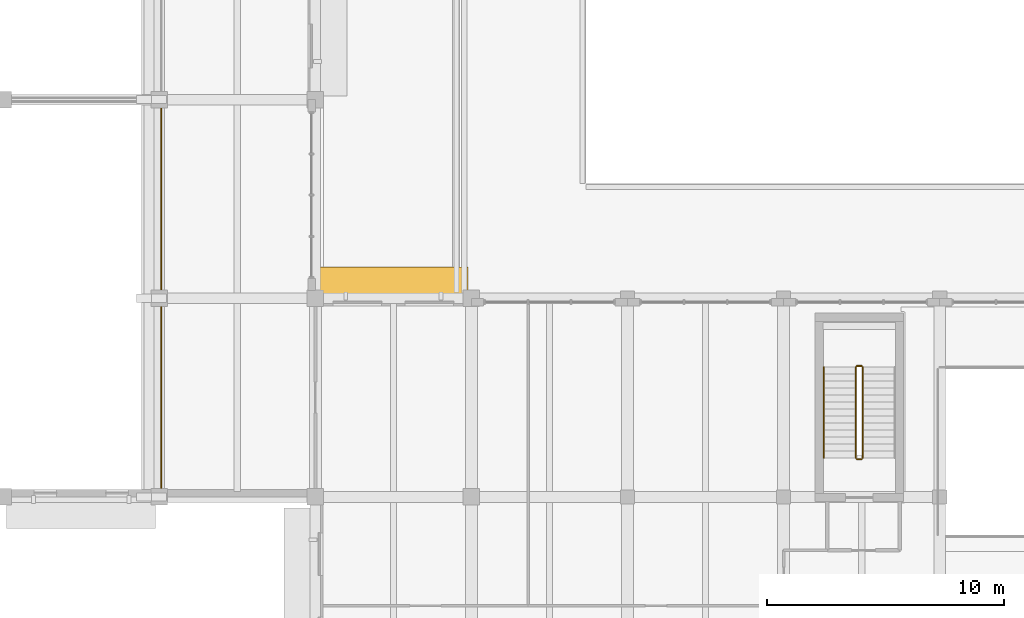
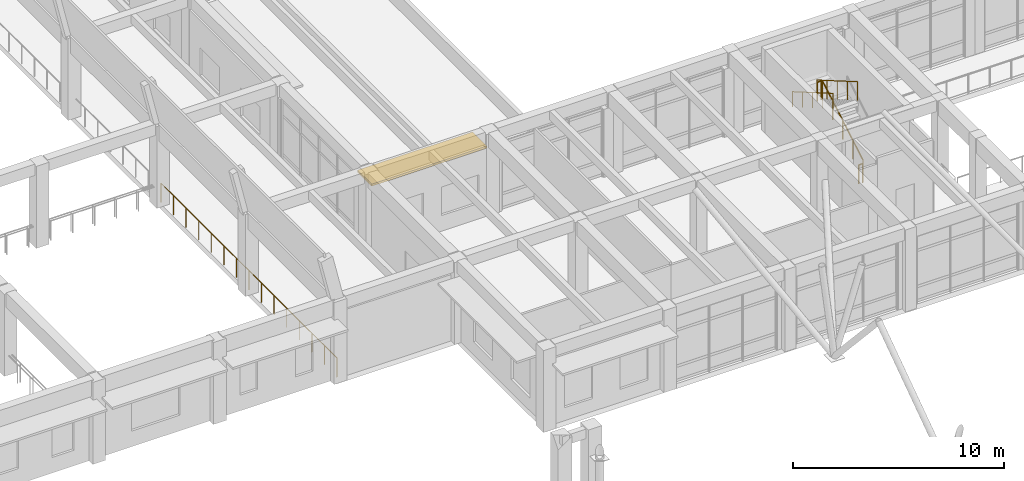
# One storey, part 68 of 75: 6 railings, 1 shading device.
"""IFC4 building model written with IfcOpenShell, lengths in metres."""

from ifc_helpers import new_model, si_unit, direction, frame, origin, origin_2d, place, context, subcontext, project, spatial, rectangle, circle, extrude, material, layer, layer_set, type_object, element, save


model = new_model("IFC4")

# Units and contexts
model_context = context("Model", 3, precision=1e-05, world=origin(), true_north=direction((0.0, 1.0)))
body_context = subcontext(model_context, "Body", "Model", "MODEL_VIEW")
ifc_project = project(units=[si_unit("LENGTHUNIT", "METRE"), si_unit("AREAUNIT", "SQUARE_METRE"), si_unit("VOLUMEUNIT", "CUBIC_METRE"), si_unit("PLANEANGLEUNIT", "RADIAN"), si_unit("MASSUNIT", "GRAM", prefix="KILO")], contexts=[model_context])

# Site, building, storey
site_placement = place(None, origin())
site = spatial("IfcSite", under=ifc_project, at=site_placement, CompositionType="ELEMENT")
building_placement = place(site_placement, origin())
building = spatial("IfcBuilding", under=site, at=building_placement, Name="Kolvaren Faculty of Natural Sciences", CompositionType="ELEMENT")
storey_placement = place(building_placement, frame((0.0, 0.0, 5.39990234375)))
storey = spatial("IfcBuildingStorey", under=building, at=storey_placement, Name="L01", CompositionType="ELEMENT", Elevation=5.39990234375)

# Shading device
ifc_material_1 = material(Name="Precast concrete C35/45", Category="concrete")
ifc_layer_1 = layer(ifc_material_1, 0.1201171875)
ifc_layer_set_1 = layer_set([ifc_layer_1], Name="Precast concrete C35/45")
shading_device_type = type_object("IfcShadingDeviceType", Name="ChhajjaSolarHood_1350", PredefinedType="AWNING", material=ifc_layer_set_1)
shading_device_placement = place(storey_placement, frame((43.10009765625, 84.85498046875, 3.695068359375), z_axis=(0.0, 0.0, 1.0), x_axis=(1.0, 0.0, 0.0)))
element("IfcShadingDevice", 1, at=shading_device_placement, inside=storey, type_object=shading_device_type, Name="L01 precast sandstone chhajja solar hood 77", PredefinedType="AWNING", context=body_context, shape_type="SweptSolid", body=[
    extrude(rectangle(XDim=6.300048828125, YDim=1.35009765625, at=origin_2d()), origin(), (0.0, 0.0, 1.0), 0.1201171875),
])

# Railings
ifc_material_2 = material(Name="Structural steel EN 10210-1 S355J2H", Category="steel")
ifc_layer_2 = layer(ifc_material_2, 0.048095703125)
ifc_layer_set_2 = layer_set([ifc_layer_2], Name="Structural steel EN 10210-1 S355J2H")
railing_type_1 = type_object("IfcRailingType", Name="GuardRailing_GDVOID1", PredefinedType="BALUSTRADE", material=ifc_layer_set_2)
railing_1_placement = place(storey_placement, frame((33.280029296875, 92.60009765625, 0.0)))
element("IfcRailing", 2, at=railing_1_placement, inside=storey, type_object=railing_type_1, Name="L01 LT-3 gallery balustrade 53", PredefinedType="BALUSTRADE", context=body_context, shape_type="SweptSolid", body=[
    extrude(circle(Radius=0.02392578125, at=origin_2d()), frame((0.0, 0.0, 1.09619140625), z_axis=(0.0, -1.0, 0.0), x_axis=(1.0, 0.0, 0.0)), (0.0, 0.0, 1.0), 16.68017578125),
    extrude(circle(Radius=0.02099609375, at=origin_2d()), origin(), (0.0, 0.0, 1.0), 1.072021484375),
    extrude(circle(Radius=0.02099609375, at=origin_2d()), frame((0.0, -1.19140625, 0.0)), (0.0, 0.0, 1.0), 1.072021484375),
    extrude(circle(Radius=0.02099609375, at=origin_2d()), frame((0.0, -2.3828125, 0.0)), (0.0, 0.0, 1.0), 1.072021484375),
    extrude(circle(Radius=0.02099609375, at=origin_2d()), frame((0.0, -3.57421875, 0.0)), (0.0, 0.0, 1.0), 1.072021484375),
    extrude(circle(Radius=0.02099609375, at=origin_2d()), frame((0.0, -4.765869140625, 0.0)), (0.0, 0.0, 1.0), 1.072021484375),
    extrude(circle(Radius=0.02099609375, at=origin_2d()), frame((0.0, -5.957275390625, 0.0)), (0.0, 0.0, 1.0), 1.072021484375),
    extrude(circle(Radius=0.02099609375, at=origin_2d()), frame((0.0, -7.148681640625, 0.0)), (0.0, 0.0, 1.0), 1.072021484375),
    extrude(circle(Radius=0.02099609375, at=origin_2d()), frame((0.0, -8.340087890625, 0.0)), (0.0, 0.0, 1.0), 1.072021484375),
    extrude(circle(Radius=0.02099609375, at=origin_2d()), frame((0.0, -9.531494140625, 0.0)), (0.0, 0.0, 1.0), 1.072021484375),
    extrude(circle(Radius=0.02099609375, at=origin_2d()), frame((0.0, -10.722900390625, 0.0)), (0.0, 0.0, 1.0), 1.072021484375),
    extrude(circle(Radius=0.02099609375, at=origin_2d()), frame((0.0, -11.914306640625, 0.0)), (0.0, 0.0, 1.0), 1.072021484375),
    extrude(circle(Radius=0.02099609375, at=origin_2d()), frame((0.0, -13.10595703125, 0.0)), (0.0, 0.0, 1.0), 1.072021484375),
    extrude(circle(Radius=0.02099609375, at=origin_2d()), frame((0.0, -14.29736328125, 0.0)), (0.0, 0.0, 1.0), 1.072021484375),
    extrude(circle(Radius=0.02099609375, at=origin_2d()), frame((0.0, -15.48876953125, 0.0)), (0.0, 0.0, 1.0), 1.072021484375),
    extrude(circle(Radius=0.02099609375, at=origin_2d()), frame((0.0, -16.68017578125, 0.0)), (0.0, 0.0, 1.0), 1.072021484375),
])
ifc_layer_3 = layer(ifc_material_2, 0.048095703125)
ifc_layer_set_3 = layer_set([ifc_layer_3], Name="Structural steel EN 10210-1 S355J2H")
railing_type_2 = type_object("IfcRailingType", Name="StairPitchHandrail_920", PredefinedType="HANDRAIL", material=ifc_layer_set_3)
railing_2_placement = place(storey_placement, frame((61.300048828125, 81.284912109375, 2.571533203125)))
element("IfcRailing", 3, at=railing_2_placement, inside=storey, type_object=railing_type_2, Name="L01 ST-6 stair handrail 2", PredefinedType="HANDRAIL", context=body_context, shape_type="SweptSolid", body=[
    extrude(circle(Radius=0.02392578125, at=origin_2d()), frame((0.0, 0.0, 0.8759765625), z_axis=(0.0, -0.86461618451, 0.502432934314), x_axis=(1.0, 0.0, 0.0)), (0.0, 0.0, 1.0), 4.435546875),
    extrude(circle(Radius=0.02099609375, at=origin_2d()), origin(), (0.0, 0.0, 1.0), 0.851806640625),
    extrude(circle(Radius=0.02099609375, at=origin_2d()), frame((0.0, -0.958740234375, 0.55712890625)), (0.0, 0.0, 1.0), 0.851806640625),
    extrude(circle(Radius=0.02099609375, at=origin_2d()), frame((0.0, -1.91748046875, 1.1142578125)), (0.0, 0.0, 1.0), 0.851806640625),
    extrude(circle(Radius=0.02099609375, at=origin_2d()), frame((0.0, -2.876220703125, 1.67138671875)), (0.0, 0.0, 1.0), 0.851806640625),
    extrude(circle(Radius=0.02099609375, at=origin_2d()), frame((0.0, -3.8349609375, 2.228515625)), (0.0, 0.0, 1.0), 0.851806640625),
])
ifc_layer_4 = layer(ifc_material_2, 0.048095703125)
ifc_layer_set_4 = layer_set([ifc_layer_4], Name="Structural steel EN 10210-1 S355J2H")
railing_type_3 = type_object("IfcRailingType", Name="StairWellGuard_1100", PredefinedType="BALUSTRADE", material=ifc_layer_set_4)
railing_3_placement = place(storey_placement, frame((62.949951171875, 77.449951171875, 0.171630859375)))
element("IfcRailing", 4, at=railing_3_placement, inside=storey, type_object=railing_type_3, Name="L01 ST-6 stair guard 1", PredefinedType="BALUSTRADE", context=body_context, shape_type="SweptSolid", body=[
    extrude(circle(Radius=0.02392578125, at=origin_2d()), frame((0.0, 0.0, 1.076171875), z_axis=(0.0, 0.86461618451, 0.502432934314), x_axis=(-1.0, 0.0, 0.0)), (0.0, 0.0, 1.0), 4.435546875),
    extrude(circle(Radius=0.02099609375, at=origin_2d()), origin(), (0.0, 0.0, 1.0), 1.052001953125),
    extrude(circle(Radius=0.02099609375, at=origin_2d()), frame((0.0, 0.958740234375, 0.55712890625)), (0.0, 0.0, 1.0), 1.052001953125),
    extrude(circle(Radius=0.02099609375, at=origin_2d()), frame((0.0, 1.91748046875, 1.1142578125)), (0.0, 0.0, 1.0), 1.052001953125),
    extrude(circle(Radius=0.02099609375, at=origin_2d()), frame((0.0, 2.876220703125, 1.67138671875)), (0.0, 0.0, 1.0), 1.052001953125),
    extrude(circle(Radius=0.02099609375, at=origin_2d()), frame((0.0, 3.8349609375, 2.228515625)), (0.0, 0.0, 1.0), 1.052001953125),
])
railing_4_placement = place(storey_placement, frame((62.89990234375, 81.3349609375, 2.400146484375)))
element("IfcRailing", 5, at=railing_4_placement, inside=storey, type_object=railing_type_3, Name="L01 ST-6 stair guard 2", PredefinedType="BALUSTRADE", context=body_context, shape_type="SweptSolid", body=[
    extrude(circle(Radius=0.02392578125, at=origin_2d()), frame((0.0, 0.0, 1.076171875), z_axis=(-1.0, 0.0, 0.0), x_axis=(0.0, -1.0, 0.0)), (0.0, 0.0, 1.0), 0.199951171875),
    extrude(circle(Radius=0.02099609375, at=origin_2d()), origin(), (0.0, 0.0, 1.0), 1.052001953125),
    extrude(circle(Radius=0.02099609375, at=origin_2d()), frame((-0.199951171875, 0.0, 0.0)), (0.0, 0.0, 1.0), 1.052001953125),
])
railing_5_placement = place(storey_placement, frame((62.64990234375, 81.284912109375, 2.571533203125)))
element("IfcRailing", 6, at=railing_5_placement, inside=storey, type_object=railing_type_3, Name="L01 ST-6 stair guard 3", PredefinedType="BALUSTRADE", context=body_context, shape_type="SweptSolid", body=[
    extrude(circle(Radius=0.02392578125, at=origin_2d()), frame((0.0, 0.0, 1.076171875), z_axis=(0.0, -0.86461618451, 0.502432934314), x_axis=(1.0, 0.0, 0.0)), (0.0, 0.0, 1.0), 4.435546875),
    extrude(circle(Radius=0.02099609375, at=origin_2d()), origin(), (0.0, 0.0, 1.0), 1.052001953125),
    extrude(circle(Radius=0.02099609375, at=origin_2d()), frame((0.0, -0.958740234375, 0.55712890625)), (0.0, 0.0, 1.0), 1.052001953125),
    extrude(circle(Radius=0.02099609375, at=origin_2d()), frame((0.0, -1.91748046875, 1.1142578125)), (0.0, 0.0, 1.0), 1.052001953125),
    extrude(circle(Radius=0.02099609375, at=origin_2d()), frame((0.0, -2.876220703125, 1.67138671875)), (0.0, 0.0, 1.0), 1.052001953125),
    extrude(circle(Radius=0.02099609375, at=origin_2d()), frame((0.0, -3.8349609375, 2.228515625)), (0.0, 0.0, 1.0), 1.052001953125),
])
railing_6_placement = place(storey_placement, frame((62.89990234375, 77.39990234375, 0.0)))
element("IfcRailing", 7, at=railing_6_placement, inside=storey, type_object=railing_type_3, Name="L01 ST-6 stair guard 4", PredefinedType="BALUSTRADE", context=body_context, shape_type="SweptSolid", body=[
    extrude(circle(Radius=0.02392578125, at=origin_2d()), frame((0.0, 0.0, 1.076171875), z_axis=(-1.0, 0.0, 0.0), x_axis=(0.0, -1.0, 0.0)), (0.0, 0.0, 1.0), 0.199951171875),
    extrude(circle(Radius=0.02099609375, at=origin_2d()), origin(), (0.0, 0.0, 1.0), 1.052001953125),
    extrude(circle(Radius=0.02099609375, at=origin_2d()), frame((-0.199951171875, 0.0, 0.0)), (0.0, 0.0, 1.0), 1.052001953125),
])

save(model, "model.ifc")
